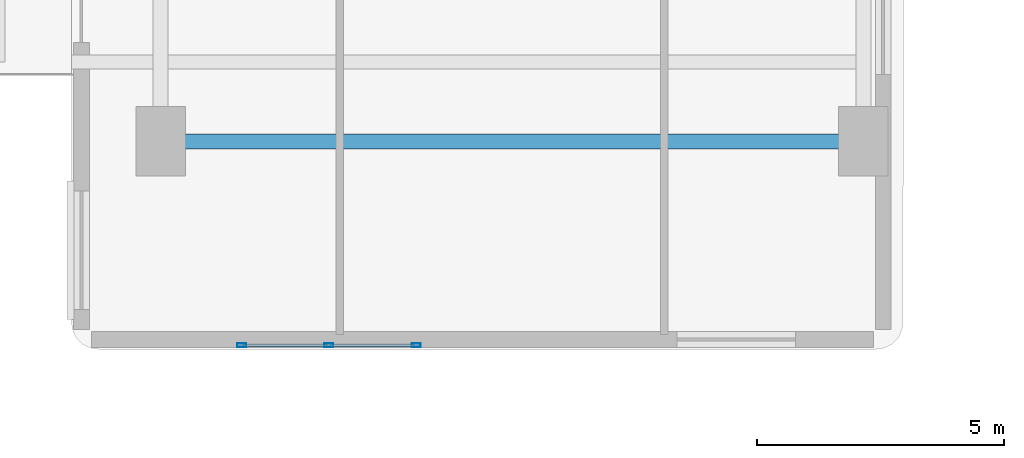
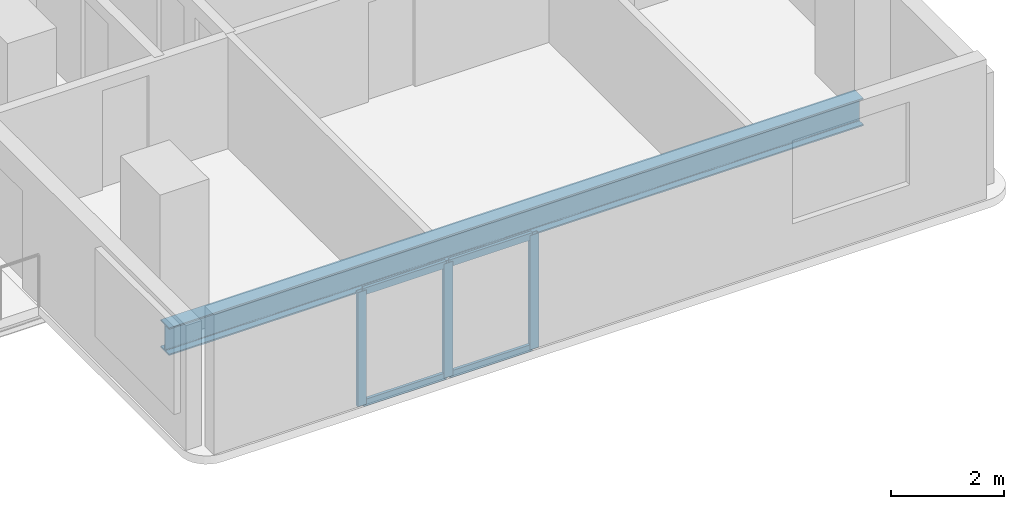
# One storey, part 2 of 15: 7 members, 1 beam, 1 element without a shape of its own.
"""IFC4 building model written with IfcOpenShell, lengths in metres."""

from ifc_helpers import new_model, si_unit, direction, frame, origin, origin_2d, place, context, subcontext, project, spatial, hollow_rectangle, i_section, extrude, material, material_profile, profile_set, type_object, element, aggregate, save


model = new_model("IFC4")

# Units and contexts
model_context = context("Model", 3, precision=1e-05, world=origin(), true_north=direction((0.0, 1.0)))
body_context = subcontext(model_context, "Body", "Model", "MODEL_VIEW")
ifc_project = project(units=[si_unit("LENGTHUNIT", "METRE"), si_unit("AREAUNIT", "SQUARE_METRE"), si_unit("VOLUMEUNIT", "CUBIC_METRE"), si_unit("PLANEANGLEUNIT", "RADIAN"), si_unit("MASSUNIT", "GRAM", prefix="KILO")], contexts=[model_context])

# Site, building, storey
site_placement = place(None, origin())
site = spatial("IfcSite", under=ifc_project, at=site_placement, CompositionType="ELEMENT")
building_placement = place(site_placement, origin())
building = spatial("IfcBuilding", under=site, at=building_placement, Name="Kuzgunbayir Cultural Tower", CompositionType="ELEMENT")
storey_placement = place(building_placement, frame((0.0, 0.0, 59.60009765625)))
storey = spatial("IfcBuildingStorey", under=building, at=storey_placement, Name="L16", CompositionType="ELEMENT", Elevation=59.60009765625)

# Beam
ifc_material_1 = material(Name="Steel S355J2", Category="steel")
ifc_material_profile_1 = material_profile(ifc_material_1, i_section(OverallWidth=0.300048828125, OverallDepth=0.60009765625, WebThickness=0.015380859375, FlangeThickness=0.030029296875, FilletRadius=0.027099609375, at=origin_2d()), Name="HEB 600")
ifc_profile_set_1 = profile_set([ifc_material_profile_1], Name="Steel S355J2")
beam_type = type_object("IfcBeamType", Name="BM-GIR-HEB600", PredefinedType="BEAM", material=ifc_profile_set_1)
beam_placement = place(storey_placement, frame((5.39990234375, 12.60009765625, -0.47998046875), z_axis=(1.0, 0.0, 0.0), x_axis=(0.0, 1.0, 0.0)))
element("IfcBeam", 1, at=beam_placement, inside=storey, type_object=beam_type, Name="L16 Wing A Transverse Girder 1", PredefinedType="BEAM", context=body_context, shape_type="SweptSolid", body=[
    extrude(i_section(OverallWidth=0.300048828125, OverallDepth=0.60009765625, WebThickness=0.015380859375, FlangeThickness=0.030029296875, FilletRadius=0.027099609375, at=origin_2d()), origin(), (0.0, 0.0, 1.0), 14.2001953125),
])

# Curtain wall, members
ifc_material_2 = material(Name="Anodised Aluminium Framing", Category="aluminium")
curtain_wall_type = type_object("IfcCurtainWallType", Name="CW03-T1-OFFICE", PredefinedType="NOTDEFINED", material=ifc_material_2)
curtain_wall_placement = place(storey_placement, origin())
curtain_wall = element("IfcCurtainWall", 2, at=curtain_wall_placement, inside=storey, type_object=curtain_wall_type, Name="L16 Wing A South Feature Curtain Wall", PredefinedType="NOTDEFINED")
ifc_material_profile_2 = material_profile(ifc_material_2, hollow_rectangle(XDim=0.074951171875, YDim=0.179931640625, WallThickness=0.0048828125, at=origin_2d()), Name="RHS 180x75x5")
ifc_profile_set_2 = profile_set([ifc_material_profile_2], Name="Anodised Aluminium Framing")
member_type_1 = type_object("IfcMemberType", Name="MEM-CW-MULLION-180", PredefinedType="MULLION", material=ifc_profile_set_2)
member_1_placement = place(storey_placement, frame((7.03759765625, 8.47998046875, 0.0), z_axis=(0.0, 0.0, 1.0), x_axis=(0.0, 1.0, 0.0)))
member_1 = element("IfcMember", 3, at=member_1_placement, type_object=member_type_1, Name="CW03 mullion 1", PredefinedType="MULLION", context=body_context, shape_type="SweptSolid", body=[
    extrude(hollow_rectangle(XDim=0.074951171875, YDim=0.179931640625, WallThickness=0.0048828125, at=origin_2d()), origin(), (0.0, 0.0, 1.0), 2.469970703125),
])
member_2_placement = place(storey_placement, frame((8.800048828125, 8.47998046875, 0.0), z_axis=(0.0, 0.0, 1.0), x_axis=(0.0, 1.0, 0.0)))
member_2 = element("IfcMember", 4, at=member_2_placement, type_object=member_type_1, Name="CW03 mullion 2", PredefinedType="MULLION", context=body_context, shape_type="SweptSolid", body=[
    extrude(hollow_rectangle(XDim=0.074951171875, YDim=0.179931640625, WallThickness=0.0048828125, at=origin_2d()), origin(), (0.0, 0.0, 1.0), 2.469970703125),
])
member_3_placement = place(storey_placement, frame((10.5625, 8.47998046875, 0.0), z_axis=(0.0, 0.0, 1.0), x_axis=(0.0, 1.0, 0.0)))
member_3 = element("IfcMember", 5, at=member_3_placement, type_object=member_type_1, Name="CW03 mullion 3", PredefinedType="MULLION", context=body_context, shape_type="SweptSolid", body=[
    extrude(hollow_rectangle(XDim=0.074951171875, YDim=0.179931640625, WallThickness=0.0048828125, at=origin_2d()), origin(), (0.0, 0.0, 1.0), 2.469970703125),
])
ifc_material_profile_3 = material_profile(ifc_material_2, hollow_rectangle(XDim=0.06005859375, YDim=0.14990234375, WallThickness=0.00390625, at=origin_2d()), Name="RHS 150x60x4")
ifc_profile_set_3 = profile_set([ifc_material_profile_3], Name="Anodised Aluminium Framing")
member_type_2 = type_object("IfcMemberType", Name="MEM-CW-TRANSOM-150", PredefinedType="USERDEFINED", material=ifc_profile_set_3)
member_4_placement = place(storey_placement, frame((7.074951171875, 8.47998046875, 0.02978515625), z_axis=(1.0, 0.0, 0.0), x_axis=(0.0, 1.0, 0.0)))
member_4 = element("IfcMember", 6, at=member_4_placement, type_object=member_type_2, Name="CW03 transom 1.1", ObjectType="TRANSOM", PredefinedType="USERDEFINED", context=body_context, shape_type="SweptSolid", body=[
    extrude(hollow_rectangle(XDim=0.06005859375, YDim=0.14990234375, WallThickness=0.00390625, at=origin_2d()), origin(), (0.0, 0.0, 1.0), 1.6875),
])
member_5_placement = place(storey_placement, frame((7.074951171875, 8.47998046875, 2.43994140625), z_axis=(1.0, 0.0, 0.0), x_axis=(0.0, 1.0, 0.0)))
member_5 = element("IfcMember", 7, at=member_5_placement, type_object=member_type_2, Name="CW03 transom 1.2", ObjectType="TRANSOM", PredefinedType="USERDEFINED", context=body_context, shape_type="SweptSolid", body=[
    extrude(hollow_rectangle(XDim=0.06005859375, YDim=0.14990234375, WallThickness=0.00390625, at=origin_2d()), origin(), (0.0, 0.0, 1.0), 1.6875),
])
member_6_placement = place(storey_placement, frame((8.83740234375, 8.47998046875, 0.02978515625), z_axis=(1.0, 0.0, 0.0), x_axis=(0.0, 1.0, 0.0)))
member_6 = element("IfcMember", 8, at=member_6_placement, type_object=member_type_2, Name="CW03 transom 2.1", ObjectType="TRANSOM", PredefinedType="USERDEFINED", context=body_context, shape_type="SweptSolid", body=[
    extrude(hollow_rectangle(XDim=0.06005859375, YDim=0.14990234375, WallThickness=0.00390625, at=origin_2d()), origin(), (0.0, 0.0, 1.0), 1.6875),
])
member_7_placement = place(storey_placement, frame((8.83740234375, 8.47998046875, 2.43994140625), z_axis=(1.0, 0.0, 0.0), x_axis=(0.0, 1.0, 0.0)))
member_7 = element("IfcMember", 9, at=member_7_placement, type_object=member_type_2, Name="CW03 transom 2.2", ObjectType="TRANSOM", PredefinedType="USERDEFINED", context=body_context, shape_type="SweptSolid", body=[
    extrude(hollow_rectangle(XDim=0.06005859375, YDim=0.14990234375, WallThickness=0.00390625, at=origin_2d()), origin(), (0.0, 0.0, 1.0), 1.6875),
])
aggregate(curtain_wall, [member_1, member_2, member_3, member_4, member_5, member_6, member_7])

save(model, "model.ifc")
